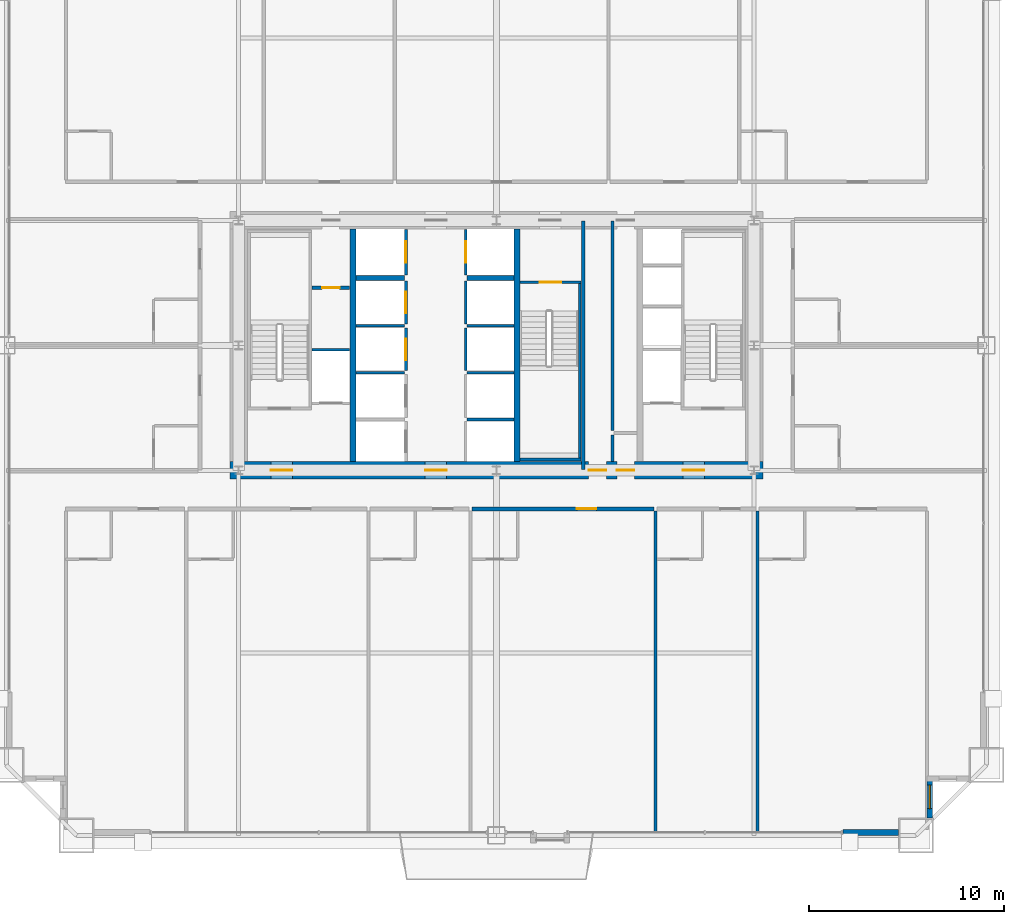
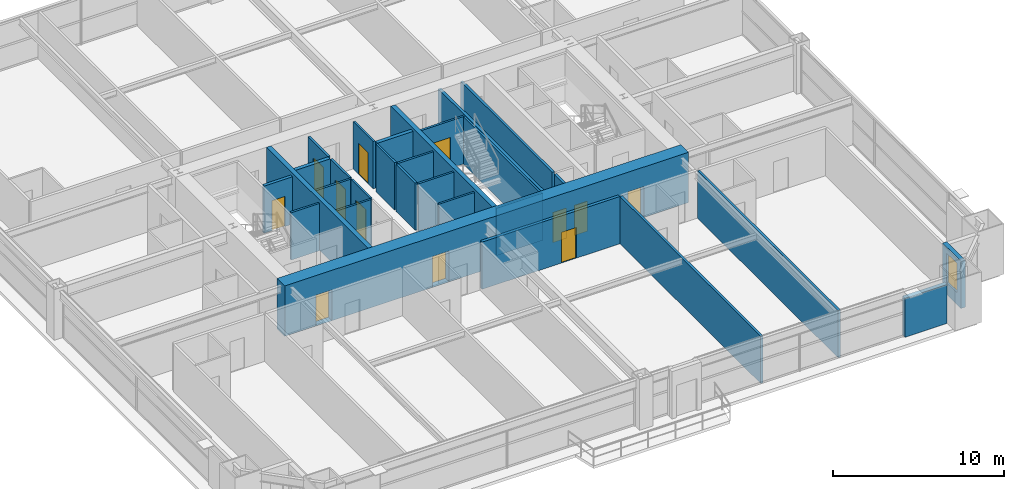
# One storey, part 40 of 43: 29 walls, 12 doors, 1 window, 13 openings.
"""IFC4 building model written with IfcOpenShell, lengths in metres."""

from ifc_helpers import new_model, si_unit, direction, frame, frame_2d, origin, place, context, subcontext, project, spatial, rectangle, extrude, source, transform, mapped, material, layer, layer_set, type_object, element, fill, save


model = new_model("IFC4")

# Units and contexts
model_context = context("Model", 3, precision=1e-05, world=origin(), true_north=direction((0.0, 1.0)))
body_context = subcontext(model_context, "Body", "Model", "MODEL_VIEW")
ifc_project = project(units=[si_unit("LENGTHUNIT", "METRE"), si_unit("AREAUNIT", "SQUARE_METRE"), si_unit("VOLUMEUNIT", "CUBIC_METRE"), si_unit("PLANEANGLEUNIT", "RADIAN"), si_unit("MASSUNIT", "GRAM", prefix="KILO"), si_unit("THERMODYNAMICTEMPERATUREUNIT", "KELVIN"), si_unit("POWERUNIT", "WATT")], contexts=[model_context])

# Site, building, storey
site_placement = place(None, origin())
site = spatial("IfcSite", under=ifc_project, at=site_placement, CompositionType="ELEMENT")
building_placement = place(site_placement, origin())
building = spatial("IfcBuilding", under=site, at=building_placement, Name="Yuzanri Waterfront Tower", CompositionType="ELEMENT")
storey_placement = place(building_placement, frame((0.0, 0.0, 64.0)))
storey = spatial("IfcBuildingStorey", under=building, at=storey_placement, Name="L16", CompositionType="ELEMENT", Elevation=64.0)

# Wall, opening, window
ifc_material_1 = material(Name="Honed Chongqing Dark Basalt Stone", Category="masonry")
ifc_layer_1 = layer(ifc_material_1, 0.300048828125)
ifc_layer_set_1 = layer_set([ifc_layer_1], Name="Honed Chongqing Dark Basalt Stone")
wall_type_1 = type_object("IfcWallType", Name="Bronze Rainscreen Insulated Spandrel Portal Wall 300", PredefinedType="SOLIDWALL", material=ifc_layer_set_1)
wall_1_placement = place(storey_placement, frame((59.199951171875, 1.60009765625, 0.0), z_axis=(0.0, 0.0, 1.0), x_axis=(0.0, 1.0, 0.0)))
wall_1 = element("IfcWall", 1, at=wall_1_placement, inside=storey, type_object=wall_type_1, Name="L16 Notched Corner Masonry Wall SE-Y", PredefinedType="SOLIDWALL", context=body_context, shape_type="SweptSolid", body=[
    extrude(rectangle(XDim=2.14990234375, YDim=0.300048828125, at=frame_2d((1.074951171875, 0.0))), origin(), (0.0, 0.0, 1.0), 3.3798828125),
])
opening_1_placement = place(wall_1_placement, frame((0.47509765625, 0.0, 0.85009765625)))
opening_1 = element("IfcOpeningElement", 2, at=opening_1_placement, cuts=wall_1, Name="Opening WN-02", PredefinedType="OPENING", context=body_context, shape_type="SweptSolid", body=[
    extrude(rectangle(XDim=1.199951171875, YDim=2.10009765625, at=frame_2d((0.60009765625, 1.050048828125))), frame((0.0, 0.1650390625, 0.0), z_axis=(0.0, -1.0, 0.0), x_axis=(1.0, 0.0, 0.0)), (0.0, 0.0, 1.0), 0.329833984375),
])
ifc_material_2 = material(Name="Double-Silver Low-E Insulated Glass", Category="glass")
window_type = type_object("IfcWindowType", Name="Anodized Bronze Notched Corner Deep-Set Slot Window 1200x2100", PartitioningType="SINGLE_PANEL", PredefinedType="WINDOW", material=ifc_material_2)
shared_shape_1 = source(origin(), body_context, "Body", "SweptSolid", [
    extrude(rectangle(XDim=1.199951171875, YDim=2.10009765625, at=frame_2d((0.60009765625, 1.050048828125))), frame((0.0, 0.030029296875, 0.0), z_axis=(0.0, -1.0, 0.0), x_axis=(1.0, 0.0, 0.0)), (0.0, 0.0, 1.0), 0.06005859375),
])
window_placement = place(opening_1_placement, origin())
window = element("IfcWindow", 3, at=window_placement, inside=storey, type_object=window_type, Name="L16 Notched Corner Window SE-Y", OverallHeight=2.10009765625, OverallWidth=1.199951171875, PartitioningType="SINGLE_PANEL", PredefinedType="WINDOW", context=body_context, shape_type="MappedRepresentation", body=[
    mapped(shared_shape_1, transform((0.0, 0.0, 0.0), scale=1.0)),
])
fill(opening_1, window)

# Wall, openings, doors
ifc_material_3 = material(Name="Concrete C60", Category="concrete")
ifc_layer_2 = layer(ifc_material_3, 0.89990234375)
ifc_layer_set_2 = layer_set([ifc_layer_2], Name="Concrete C60")
wall_type_2 = type_object("IfcWallType", Name="Concrete C60 Lower Zone Core Shear Wall 900", PredefinedType="SHEAR", material=ifc_layer_set_2)
wall_2_placement = place(storey_placement, frame((23.35009765625, 19.39990234375, 0.0), z_axis=(0.0, 0.0, 1.0), x_axis=(1.0, 0.0, 0.0)))
wall_2 = element("IfcWall", 4, at=wall_2_placement, inside=storey, type_object=wall_type_2, Name="L16 Core South Shear Wall", PredefinedType="SHEAR", context=body_context, shape_type="SweptSolid", body=[
    extrude(rectangle(XDim=27.2998046875, YDim=0.89990234375, at=frame_2d((13.64990234375, 0.0))), origin(), (0.0, 0.0, 1.0), 3.60009765625),
])
opening_2_placement = place(wall_2_placement, frame((2.10009765625, 0.0, 0.0)))
opening_2 = element("IfcOpeningElement", 5, at=opening_2_placement, cuts=wall_2, Name="Opening FD-1100", PredefinedType="OPENING", context=body_context, shape_type="SweptSolid", body=[
    extrude(rectangle(XDim=1.10009765625, YDim=2.199951171875, at=frame_2d((0.550048828125, 1.10009765625))), frame((0.0, 0.46484375, 0.0), z_axis=(0.0, -1.0, 0.0), x_axis=(1.0, 0.0, 0.0)), (0.0, 0.0, 1.0), 0.9296875),
])
opening_3_placement = place(wall_2_placement, frame((10.0, 0.0, 0.0)))
opening_3 = element("IfcOpeningElement", 6, at=opening_3_placement, cuts=wall_2, Name="Opening FD-1100", PredefinedType="OPENING", context=body_context, shape_type="SweptSolid", body=[
    extrude(rectangle(XDim=1.10009765625, YDim=2.199951171875, at=frame_2d((0.550048828125, 1.10009765625))), frame((0.0, 0.46484375, 0.0), z_axis=(0.0, -1.0, 0.0), x_axis=(1.0, 0.0, 0.0)), (0.0, 0.0, 1.0), 0.9296875),
])
opening_4_placement = place(wall_2_placement, frame((23.199951171875, 0.0, 0.0)))
opening_4 = element("IfcOpeningElement", 7, at=opening_4_placement, cuts=wall_2, Name="Opening FD-1100", PredefinedType="OPENING", context=body_context, shape_type="SweptSolid", body=[
    extrude(rectangle(XDim=1.10009765625, YDim=2.199951171875, at=frame_2d((0.550048828125, 1.10009765625))), frame((0.0, 0.46484375, 0.0), z_axis=(0.0, -1.0, 0.0), x_axis=(1.0, 0.0, 0.0)), (0.0, 0.0, 1.0), 0.9296875),
])
opening_5_placement = place(wall_2_placement, frame((19.820068359375, 0.0, 0.0)))
opening_5 = element("IfcOpeningElement", 8, at=opening_5_placement, cuts=wall_2, Name="Opening FD-0900", PredefinedType="OPENING", context=body_context, shape_type="SweptSolid", body=[
    extrude(rectangle(XDim=0.89990234375, YDim=2.14990234375, at=frame_2d((0.449951171875, 1.074951171875))), frame((0.0, 0.46484375, 0.0), z_axis=(0.0, -1.0, 0.0), x_axis=(1.0, 0.0, 0.0)), (0.0, 0.0, 1.0), 0.9296875),
])
opening_6_placement = place(wall_2_placement, frame((18.3798828125, 0.0, 0.0)))
opening_6 = element("IfcOpeningElement", 9, at=opening_6_placement, cuts=wall_2, Name="Opening FD-0900", PredefinedType="OPENING", context=body_context, shape_type="SweptSolid", body=[
    extrude(rectangle(XDim=0.89990234375, YDim=2.14990234375, at=frame_2d((0.449951171875, 1.074951171875))), frame((0.0, 0.46484375, 0.0), z_axis=(0.0, -1.0, 0.0), x_axis=(1.0, 0.0, 0.0)), (0.0, 0.0, 1.0), 0.9296875),
])
ifc_material_4 = material(Name="Painted Galvanized Fire Steel", Category="steel")
door_type_1 = type_object("IfcDoorType", Name="Smoke-Proof Stair and Lobby Fire Door 1100x2200", OperationType="NOTDEFINED", PredefinedType="DOOR", material=ifc_material_4)
shared_shape_2 = source(origin(), body_context, "Body", "SweptSolid", [
    extrude(rectangle(XDim=1.10009765625, YDim=2.199951171875, at=frame_2d((0.550048828125, 1.10009765625))), frame((0.0, 0.02490234375, 0.0), z_axis=(0.0, -1.0, 0.0), x_axis=(1.0, 0.0, 0.0)), (0.0, 0.0, 1.0), 0.050048828125),
])
door_1_placement = place(opening_2_placement, origin())
door_1 = element("IfcDoor", 10, at=door_1_placement, inside=storey, type_object=door_type_1, Name="L16 West Firefighting Lobby Door", OperationType="SINGLE_SWING_LEFT", OverallHeight=2.199951171875, OverallWidth=1.10009765625, PredefinedType="DOOR", context=body_context, shape_type="MappedRepresentation", body=[
    mapped(shared_shape_2, transform((0.0, 0.0, 0.0), scale=1.0)),
])
fill(opening_2, door_1)
door_2_placement = place(opening_3_placement, origin())
door_2 = element("IfcDoor", 11, at=door_2_placement, inside=storey, type_object=door_type_1, Name="L16 Central Lift Lobby South Door", OperationType="SINGLE_SWING_RIGHT", OverallHeight=2.199951171875, OverallWidth=1.10009765625, PredefinedType="DOOR", context=body_context, shape_type="MappedRepresentation", body=[
    mapped(shared_shape_2, transform((0.0, 0.0, 0.0), scale=1.0)),
])
fill(opening_3, door_2)
door_3_placement = place(opening_4_placement, origin())
door_3 = element("IfcDoor", 12, at=door_3_placement, inside=storey, type_object=door_type_1, Name="L16 East Firefighting Lobby Door", OperationType="SINGLE_SWING_LEFT", OverallHeight=2.199951171875, OverallWidth=1.10009765625, PredefinedType="DOOR", context=body_context, shape_type="MappedRepresentation", body=[
    mapped(shared_shape_2, transform((0.0, 0.0, 0.0), scale=1.0)),
])
fill(opening_4, door_3)
ifc_material_5 = material(Name="Painted Galvanized Fire Steel", Category="steel")
door_type_2 = type_object("IfcDoorType", Name="Riser and Service Room Fire Door 900x2150", OperationType="NOTDEFINED", PredefinedType="DOOR", material=ifc_material_5)
shared_shape_3 = source(origin(), body_context, "Body", "SweptSolid", [
    extrude(rectangle(XDim=0.89990234375, YDim=2.14990234375, at=frame_2d((0.449951171875, 1.074951171875))), frame((0.0, 0.02490234375, 0.0), z_axis=(0.0, -1.0, 0.0), x_axis=(1.0, 0.0, 0.0)), (0.0, 0.0, 1.0), 0.050048828125),
])
door_4_placement = place(opening_5_placement, origin())
door_4 = element("IfcDoor", 13, at=door_4_placement, inside=storey, type_object=door_type_2, Name="L16 East Wet Riser Door", OperationType="SINGLE_SWING_RIGHT", OverallHeight=2.14990234375, OverallWidth=0.89990234375, PredefinedType="DOOR", context=body_context, shape_type="MappedRepresentation", body=[
    mapped(shared_shape_3, transform((0.0, 0.0, 0.0), scale=1.0)),
])
fill(opening_5, door_4)
door_5_placement = place(opening_6_placement, origin())
door_5 = element("IfcDoor", 14, at=door_5_placement, inside=storey, type_object=door_type_2, Name="L16 Housekeeping Room", OperationType="SINGLE_SWING_LEFT", OverallHeight=2.14990234375, OverallWidth=0.89990234375, PredefinedType="DOOR", context=body_context, shape_type="MappedRepresentation", body=[
    mapped(shared_shape_3, transform((0.0, 0.0, 0.0), scale=1.0)),
])
fill(opening_6, door_5)

# Wall, opening, door
ifc_material_6 = material(Name="Concrete C40", Category="concrete")
ifc_layer_3 = layer(ifc_material_6, 0.139892578125)
ifc_layer_set_3 = layer_set([ifc_layer_3], Name="Concrete C40")
wall_type_3 = type_object("IfcWallType", Name="Core Stair Liner and Hoistway Shaft Wall 140", PredefinedType="SOLIDWALL", material=ifc_layer_set_3)
wall_3_placement = place(storey_placement, frame((32.3701171875, 24.5, 0.0), z_axis=(0.0, 0.0, 1.0), x_axis=(0.0, 1.0, 0.0)))
wall_3 = element("IfcWall", 15, at=wall_3_placement, inside=storey, type_object=wall_type_3, Name="L16 Lift PL-03 Front Shaft Wall", PredefinedType="SOLIDWALL", context=body_context, shape_type="SweptSolid", body=[
    extrude(rectangle(XDim=2.199951171875, YDim=0.139892578125, at=frame_2d((1.10009765625, 0.0))), origin(), (0.0, 0.0, 1.0), 3.3798828125),
])
opening_7_placement = place(wall_3_placement, frame((0.550048828125, 0.0, 0.0)))
opening_7 = element("IfcOpeningElement", 16, at=opening_7_placement, cuts=wall_3, Name="Opening LD-PL-03", PredefinedType="OPENING", context=body_context, shape_type="SweptSolid", body=[
    extrude(rectangle(XDim=1.10009765625, YDim=2.199951171875, at=frame_2d((0.550048828125, 1.10009765625))), frame((0.0, 0.0849609375, 0.0), z_axis=(0.0, -1.0, 0.0), x_axis=(1.0, 0.0, 0.0)), (0.0, 0.0, 1.0), 0.169677734375),
])
ifc_material_7 = material(Name="Brushed Bronze and Stainless Steel Cab", Category="steel")
door_type_3 = type_object("IfcDoorType", Name="Center-Parting Bronze Lift Landing Sliding Door 1100x2200", OperationType="NOTDEFINED", PredefinedType="DOOR", material=ifc_material_7)
shared_shape_4 = source(origin(), body_context, "Body", "SweptSolid", [
    extrude(rectangle(XDim=1.10009765625, YDim=2.199951171875, at=frame_2d((0.550048828125, 1.10009765625))), frame((0.0, 0.02490234375, 0.0), z_axis=(0.0, -1.0, 0.0), x_axis=(1.0, 0.0, 0.0)), (0.0, 0.0, 1.0), 0.050048828125),
])
door_6_placement = place(opening_7_placement, origin())
door_6 = element("IfcDoor", 17, at=door_6_placement, inside=storey, type_object=door_type_3, Name="L16 PL-03 Lift Landing Sliding Door", OperationType="SLIDING_TO_LEFT", OverallHeight=2.199951171875, OverallWidth=1.10009765625, PredefinedType="DOOR", context=body_context, shape_type="MappedRepresentation", body=[
    mapped(shared_shape_4, transform((0.0, 0.0, 0.0), scale=1.0)),
])
fill(opening_7, door_6)

wall_4_placement = place(storey_placement, frame((32.3701171875, 26.89990234375, 0.0), z_axis=(0.0, 0.0, 1.0), x_axis=(0.0, 1.0, 0.0)))
wall_4 = element("IfcWall", 18, at=wall_4_placement, inside=storey, type_object=wall_type_3, Name="L16 Lift PL-04 Front Shaft Wall", PredefinedType="SOLIDWALL", context=body_context, shape_type="SweptSolid", body=[
    extrude(rectangle(XDim=2.2001953125, YDim=0.139892578125, at=frame_2d((1.10009765625, 0.0))), origin(), (0.0, 0.0, 1.0), 3.3798828125),
])
opening_8_placement = place(wall_4_placement, frame((0.550048828125, 0.0, 0.0)))
opening_8 = element("IfcOpeningElement", 19, at=opening_8_placement, cuts=wall_4, Name="Opening LD-PL-04", PredefinedType="OPENING", context=body_context, shape_type="SweptSolid", body=[
    extrude(rectangle(XDim=1.10009765625, YDim=2.199951171875, at=frame_2d((0.550048828125, 1.10009765625))), frame((0.0, 0.0849609375, 0.0), z_axis=(0.0, -1.0, 0.0), x_axis=(1.0, 0.0, 0.0)), (0.0, 0.0, 1.0), 0.169677734375),
])
door_7_placement = place(opening_8_placement, origin())
door_7 = element("IfcDoor", 20, at=door_7_placement, inside=storey, type_object=door_type_3, Name="L16 PL-04 Lift Landing Sliding Door", OperationType="SLIDING_TO_RIGHT", OverallHeight=2.199951171875, OverallWidth=1.10009765625, PredefinedType="DOOR", context=body_context, shape_type="MappedRepresentation", body=[
    mapped(shared_shape_4, transform((0.0, 0.0, 0.0), scale=1.0)),
])
fill(opening_8, door_7)

wall_5_placement = place(storey_placement, frame((32.3701171875, 29.39990234375, 0.0), z_axis=(0.0, 0.0, 1.0), x_axis=(0.0, 1.0, 0.0)))
wall_5 = element("IfcWall", 21, at=wall_5_placement, inside=storey, type_object=wall_type_3, Name="L16 Lift SL-01 Front Shaft Wall", PredefinedType="SOLIDWALL", context=body_context, shape_type="SweptSolid", body=[
    extrude(rectangle(XDim=2.340087890625, YDim=0.139892578125, at=frame_2d((1.169921875, 0.0))), origin(), (0.0, 0.0, 1.0), 3.3798828125),
])
opening_9_placement = place(wall_5_placement, frame((0.6201171875, 0.0, 0.0)))
opening_9 = element("IfcOpeningElement", 22, at=opening_9_placement, cuts=wall_5, Name="Opening LD-SL-01", PredefinedType="OPENING", context=body_context, shape_type="SweptSolid", body=[
    extrude(rectangle(XDim=1.10009765625, YDim=2.199951171875, at=frame_2d((0.550048828125, 1.10009765625))), frame((0.0, 0.0849609375, 0.0), z_axis=(0.0, -1.0, 0.0), x_axis=(1.0, 0.0, 0.0)), (0.0, 0.0, 1.0), 0.169677734375),
])
door_8_placement = place(opening_9_placement, origin())
door_8 = element("IfcDoor", 23, at=door_8_placement, inside=storey, type_object=door_type_3, Name="L16 SL-01 Lift Landing Sliding Door", OperationType="SLIDING_TO_LEFT", OverallHeight=2.199951171875, OverallWidth=1.10009765625, PredefinedType="DOOR", context=body_context, shape_type="MappedRepresentation", body=[
    mapped(shared_shape_4, transform((0.0, 0.0, 0.0), scale=1.0)),
])
fill(opening_9, door_8)

wall_6_placement = place(storey_placement, frame((35.429931640625, 29.39990234375, 0.0), z_axis=(0.0, 0.0, 1.0), x_axis=(0.0, 1.0, 0.0)))
wall_6 = element("IfcWall", 24, at=wall_6_placement, inside=storey, type_object=wall_type_3, Name="L16 Lift SL-02 Front Shaft Wall", PredefinedType="SOLIDWALL", context=body_context, shape_type="SweptSolid", body=[
    extrude(rectangle(XDim=2.340087890625, YDim=0.139892578125, at=frame_2d((1.169921875, 0.0))), origin(), (0.0, 0.0, 1.0), 3.3798828125),
])
opening_10_placement = place(wall_6_placement, frame((0.6201171875, 0.0, 0.0)))
opening_10 = element("IfcOpeningElement", 25, at=opening_10_placement, cuts=wall_6, Name="Opening LD-SL-02", PredefinedType="OPENING", context=body_context, shape_type="SweptSolid", body=[
    extrude(rectangle(XDim=1.10009765625, YDim=2.199951171875, at=frame_2d((0.550048828125, 1.10009765625))), frame((0.0, 0.0849609375, 0.0), z_axis=(0.0, -1.0, 0.0), x_axis=(1.0, 0.0, 0.0)), (0.0, 0.0, 1.0), 0.169677734375),
])
door_9_placement = place(opening_10_placement, origin())
door_9 = element("IfcDoor", 26, at=door_9_placement, inside=storey, type_object=door_type_3, Name="L16 SL-02 Lift Landing Sliding Door", OperationType="SLIDING_TO_RIGHT", OverallHeight=2.199951171875, OverallWidth=1.10009765625, PredefinedType="DOOR", context=body_context, shape_type="MappedRepresentation", body=[
    mapped(shared_shape_4, transform((0.0, 0.0, 0.0), scale=1.0)),
])
fill(opening_10, door_9)

wall_7_placement = place(storey_placement, frame((38.199951171875, 29.030029296875, 0.0), z_axis=(0.0, 0.0, 1.0), x_axis=(1.0, 0.0, 0.0)))
wall_7 = element("IfcWall", 27, at=wall_7_placement, inside=storey, type_object=wall_type_3, Name="L16 Shaft Wall STW-L16-ST-03-N", PredefinedType="SOLIDWALL", context=body_context, shape_type="SweptSolid", body=[
    extrude(rectangle(XDim=3.14013671875, YDim=0.139892578125, at=frame_2d((1.570068359375, 0.0))), origin(), (0.0, 0.0, 1.0), 3.3798828125),
])
opening_11_placement = place(wall_7_placement, frame((1.02001953125, 0.0, 0.0)))
opening_11 = element("IfcOpeningElement", 28, at=opening_11_placement, cuts=wall_7, Name="Opening FD-1100", PredefinedType="OPENING", context=body_context, shape_type="SweptSolid", body=[
    extrude(rectangle(XDim=1.10009765625, YDim=2.199951171875, at=frame_2d((0.550048828125, 1.10009765625))), frame((0.0, 0.0849609375, 0.0), z_axis=(0.0, -1.0, 0.0), x_axis=(1.0, 0.0, 0.0)), (0.0, 0.0, 1.0), 0.169677734375),
])
door_10_placement = place(opening_11_placement, origin())
door_10 = element("IfcDoor", 29, at=door_10_placement, inside=storey, type_object=door_type_1, Name="L16 Stair ST-03 Fire Door", OperationType="SINGLE_SWING_RIGHT", OverallHeight=2.199951171875, OverallWidth=1.10009765625, PredefinedType="DOOR", context=body_context, shape_type="MappedRepresentation", body=[
    mapped(shared_shape_2, transform((0.0, 0.0, 0.0), scale=1.0)),
])
fill(opening_11, door_10)

ifc_material_8 = material(Name="Autoclaved Aerated Concrete Blockwork", Category="masonry")
ifc_layer_4 = layer(ifc_material_8, 0.199951171875)
ifc_layer_set_4 = layer_set([ifc_layer_4], Name="Autoclaved Aerated Concrete Blockwork")
wall_type_4 = type_object("IfcWallType", Name="Corridor and Unit Party Fire Wall 200", PredefinedType="PARTITIONING", material=ifc_layer_set_4)
wall_8_placement = place(storey_placement, frame((27.56005859375, 28.75, 0.0), z_axis=(0.0, 0.0, 1.0), x_axis=(1.0, 0.0, 0.0)))
wall_8 = element("IfcWall", 30, at=wall_8_placement, inside=storey, type_object=wall_type_4, Name="L16 Partition CRW-L16-ERTR", PredefinedType="PARTITIONING", context=body_context, shape_type="SweptSolid", body=[
    extrude(rectangle(XDim=1.919921875, YDim=0.199951171875, at=frame_2d((0.9599609375, 0.0))), origin(), (0.0, 0.0, 1.0), 3.3798828125),
])
opening_12_placement = place(wall_8_placement, frame((0.510009765625, 0.0, 0.0)))
opening_12 = element("IfcOpeningElement", 31, at=opening_12_placement, cuts=wall_8, Name="Opening FD-0900", PredefinedType="OPENING", context=body_context, shape_type="SweptSolid", body=[
    extrude(rectangle(XDim=0.89990234375, YDim=2.14990234375, at=frame_2d((0.449951171875, 1.074951171875))), frame((0.0, 0.11474609375, 0.0), z_axis=(0.0, -1.0, 0.0), x_axis=(1.0, 0.0, 0.0)), (0.0, 0.0, 1.0), 0.229736328125),
])
door_11_placement = place(opening_12_placement, origin())
door_11 = element("IfcDoor", 32, at=door_11_placement, inside=storey, type_object=door_type_2, Name="L16 Electrical Riser Door", OperationType="SINGLE_SWING_LEFT", OverallHeight=2.14990234375, OverallWidth=0.89990234375, PredefinedType="DOOR", context=body_context, shape_type="MappedRepresentation", body=[
    mapped(shared_shape_3, transform((0.0, 0.0, 0.0), scale=1.0)),
])
fill(opening_12, door_11)

wall_9_placement = place(storey_placement, frame((35.756103515625, 17.419921875, 0.0), z_axis=(0.0, 0.0, 1.0), x_axis=(1.0, 0.0, 0.0)))
wall_9 = element("IfcWall", 33, at=wall_9_placement, inside=storey, type_object=wall_type_4, Name="L16 Partition UW-L16-S4-CN", PredefinedType="PARTITIONING", context=body_context, shape_type="SweptSolid", body=[
    extrude(rectangle(XDim=9.310791015625, YDim=0.199951171875, at=frame_2d((4.6552734375, 0.0))), origin(), (0.0, 0.0, 1.0), 3.3798828125),
])
opening_13_placement = place(wall_9_placement, frame((5.361083984375, 0.0, 0.0)))
opening_13 = element("IfcOpeningElement", 34, at=opening_13_placement, cuts=wall_9, Name="Opening FD-1000", PredefinedType="OPENING", context=body_context, shape_type="SweptSolid", body=[
    extrude(rectangle(XDim=1.0, YDim=2.199951171875, at=frame_2d((0.5, 1.10009765625))), frame((0.0, 0.11474609375, 0.0), z_axis=(0.0, -1.0, 0.0), x_axis=(1.0, 0.0, 0.0)), (0.0, 0.0, 1.0), 0.229736328125),
])
ifc_material_9 = material(Name="Engineered Oak Fire-Rated Timber", Category="wood")
door_type_4 = type_object("IfcDoorType", Name="Guestroom and Apartment Entrance Fire Door 1000x2200", OperationType="NOTDEFINED", PredefinedType="DOOR", material=ifc_material_9)
shared_shape_5 = source(origin(), body_context, "Body", "SweptSolid", [
    extrude(rectangle(XDim=1.0, YDim=2.199951171875, at=frame_2d((0.5, 1.10009765625))), frame((0.0, 0.02490234375, 0.0), z_axis=(0.0, -1.0, 0.0), x_axis=(1.0, 0.0, 0.0)), (0.0, 0.0, 1.0), 0.050048828125),
])
door_12_placement = place(opening_13_placement, origin())
door_12 = element("IfcDoor", 35, at=door_12_placement, inside=storey, type_object=door_type_4, Name="L16 Deluxe Riverfront Junior Suite Entrance Door", OperationType="SINGLE_SWING_LEFT", OverallHeight=2.199951171875, OverallWidth=1.0, PredefinedType="DOOR", context=body_context, shape_type="MappedRepresentation", body=[
    mapped(shared_shape_5, transform((0.0, 0.0, 0.0), scale=1.0)),
])
fill(opening_13, door_12)

# Walls
ifc_material_10 = material(Name="Concrete C50", Category="concrete")
ifc_layer_5 = layer(ifc_material_10, 0.300048828125)
ifc_layer_set_5 = layer_set([ifc_layer_5], Name="Concrete C50")
wall_type_5 = type_object("IfcWallType", Name="Concrete C50 Internal Core Shaft Structural Wall 300", PredefinedType="SOLIDWALL", material=ifc_layer_set_5)
shared_shape_6 = source(origin(), body_context, "Body", "SweptSolid", [
    extrude(rectangle(XDim=11.89990234375, YDim=0.300048828125, at=frame_2d((5.949951171875, 0.0))), origin(), (0.0, 0.0, 1.0), 3.60009765625),
])
for number, where, z_axis, x_axis, name in (
    (36, (29.64990234375, 19.85009765625, 0.0), (0.0, 0.0, 1.0), (0.0, 1.0, 0.0), "L16 Core Internal Structural Web Wall 1"),
    (37, (38.050048828125, 19.85009765625, 0.0), (0.0, 0.0, 1.0), (0.0, 1.0, 0.0), "L16 Core Internal Structural Web Wall 2"),
):
    element("IfcWall", number, at=place(storey_placement, frame(where, z_axis=z_axis, x_axis=x_axis)), inside=storey, type_object=wall_type_5, Name=name, PredefinedType="SOLIDWALL", context=body_context, shape_type="MappedRepresentation", body=[
        mapped(shared_shape_6, transform((0.0, 0.0, 0.0), scale=1.0)),
    ])
shared_shape_7 = source(origin(), body_context, "Body", "SweptSolid", [
    extrude(rectangle(XDim=2.85009765625, YDim=0.300048828125, at=frame_2d((1.425048828125, 0.0))), origin(), (0.0, 0.0, 1.0), 2.77490234375),
])
wall_10_placement = place(storey_placement, frame((54.75, 0.85009765625, 0.0), z_axis=(0.0, 0.0, 1.0), x_axis=(1.0, 0.0, 0.0)))
element("IfcWall", 38, at=wall_10_placement, inside=storey, type_object=wall_type_1, Name="L16 S Right Braced Masonry Shoulder", PredefinedType="SOLIDWALL", context=body_context, shape_type="MappedRepresentation", body=[
    mapped(shared_shape_7, transform((0.0, 0.0, 0.0), scale=1.0)),
])
shared_shape_8 = source(origin(), body_context, "Body", "SweptSolid", [
    extrude(rectangle(XDim=1.919921875, YDim=0.139892578125, at=frame_2d((0.9599609375, 0.0))), origin(), (0.0, 0.0, 1.0), 3.3798828125),
])
wall_11_placement = place(storey_placement, frame((27.56005859375, 25.570068359375, 0.0), z_axis=(0.0, 0.0, 1.0), x_axis=(1.0, 0.0, 0.0)))
element("IfcWall", 39, at=wall_11_placement, inside=storey, type_object=wall_type_3, Name="L16 Lift FL-01 Back Shaft Wall", PredefinedType="SOLIDWALL", context=body_context, shape_type="MappedRepresentation", body=[
    mapped(shared_shape_8, transform((0.0, 0.0, 0.0), scale=1.0)),
])
shared_shape_9 = source(origin(), body_context, "Body", "SweptSolid", [
    extrude(rectangle(XDim=2.5, YDim=0.139892578125, at=frame_2d((1.25, 0.0))), origin(), (0.0, 0.0, 1.0), 3.3798828125),
])
for number, where, z_axis, x_axis, name in (
    (40, (29.800048828125, 24.39990234375, 0.0), (0.0, 0.0, 1.0), (1.0, 0.0, 0.0), "L16 Lift PL-02 Divider Wall"),
    (41, (29.800048828125, 26.800048828125, 0.0), (0.0, 0.0, 1.0), (1.0, 0.0, 0.0), "L16 Lift PL-03 Divider Wall"),
):
    element("IfcWall", number, at=place(storey_placement, frame(where, z_axis=z_axis, x_axis=x_axis)), inside=storey, type_object=wall_type_3, Name=name, PredefinedType="SOLIDWALL", context=body_context, shape_type="MappedRepresentation", body=[
        mapped(shared_shape_9, transform((0.0, 0.0, 0.0), scale=1.0)),
    ])
ifc_material_11 = material(Name="Concrete C40", Category="concrete")
ifc_layer_6 = layer(ifc_material_11, 0.25)
ifc_layer_set_6 = layer_set([ifc_layer_6], Name="Concrete C40")
wall_type_6 = type_object("IfcWallType", Name="Smoke-Proof Stair and Lift Shaft Wall 250", PredefinedType="SOLIDWALL", material=ifc_layer_set_6)
shared_shape_10 = source(origin(), body_context, "Body", "SweptSolid", [
    extrude(rectangle(XDim=2.5, YDim=0.25, at=frame_2d((1.25, 0.0))), origin(), (0.0, 0.0, 1.0), 3.3798828125),
])
wall_12_placement = place(storey_placement, frame((29.800048828125, 29.25, 0.0), z_axis=(0.0, 0.0, 1.0), x_axis=(1.0, 0.0, 0.0)))
element("IfcWall", 42, at=wall_12_placement, inside=storey, type_object=wall_type_6, Name="L16 Lift SL-01 South Shaft Wall", PredefinedType="SOLIDWALL", context=body_context, shape_type="MappedRepresentation", body=[
    mapped(shared_shape_10, transform((0.0, 0.0, 0.0), scale=1.0)),
])
shared_shape_11 = source(origin(), body_context, "Body", "SweptSolid", [
    extrude(rectangle(XDim=2.39990234375, YDim=0.139892578125, at=frame_2d((1.199951171875, 0.0))), origin(), (0.0, 0.0, 1.0), 3.3798828125),
])
for number, where, z_axis, x_axis, name in (
    (43, (35.5, 22.0, 0.0), (0.0, 0.0, 1.0), (1.0, 0.0, 0.0), "L16 Lift PL-05 Divider Wall"),
    (44, (35.5, 24.39990234375, 0.0), (0.0, 0.0, 1.0), (1.0, 0.0, 0.0), "L16 Lift PL-06 Divider Wall"),
    (45, (35.5, 26.800048828125, 0.0), (0.0, 0.0, 1.0), (1.0, 0.0, 0.0), "L16 Lift PL-07 Divider Wall"),
):
    element("IfcWall", number, at=place(storey_placement, frame(where, z_axis=z_axis, x_axis=x_axis)), inside=storey, type_object=wall_type_3, Name=name, PredefinedType="SOLIDWALL", context=body_context, shape_type="MappedRepresentation", body=[
        mapped(shared_shape_11, transform((0.0, 0.0, 0.0), scale=1.0)),
    ])
shared_shape_12 = source(origin(), body_context, "Body", "SweptSolid", [
    extrude(rectangle(XDim=2.199951171875, YDim=0.139892578125, at=frame_2d((1.10009765625, 0.0))), origin(), (0.0, 0.0, 1.0), 3.3798828125),
])
wall_13_placement = place(storey_placement, frame((35.429931640625, 24.5, 0.0), z_axis=(0.0, 0.0, 1.0), x_axis=(0.0, 1.0, 0.0)))
element("IfcWall", 46, at=wall_13_placement, inside=storey, type_object=wall_type_3, Name="L16 Lift PL-07 Front Shaft Wall", PredefinedType="SOLIDWALL", context=body_context, shape_type="MappedRepresentation", body=[
    mapped(shared_shape_12, transform((0.0, 0.0, 0.0), scale=1.0)),
])
shared_shape_13 = source(origin(), body_context, "Body", "SweptSolid", [
    extrude(rectangle(XDim=2.2001953125, YDim=0.139892578125, at=frame_2d((1.10009765625, 0.0))), origin(), (0.0, 0.0, 1.0), 3.3798828125),
])
wall_14_placement = place(storey_placement, frame((35.429931640625, 26.89990234375, 0.0), z_axis=(0.0, 0.0, 1.0), x_axis=(0.0, 1.0, 0.0)))
element("IfcWall", 47, at=wall_14_placement, inside=storey, type_object=wall_type_3, Name="L16 Lift PL-08 Front Shaft Wall", PredefinedType="SOLIDWALL", context=body_context, shape_type="MappedRepresentation", body=[
    mapped(shared_shape_13, transform((0.0, 0.0, 0.0), scale=1.0)),
])
shared_shape_14 = source(origin(), body_context, "Body", "SweptSolid", [
    extrude(rectangle(XDim=2.39990234375, YDim=0.25, at=frame_2d((1.199951171875, 0.0))), origin(), (0.0, 0.0, 1.0), 3.3798828125),
])
wall_15_placement = place(storey_placement, frame((35.5, 29.25, 0.0), z_axis=(0.0, 0.0, 1.0), x_axis=(1.0, 0.0, 0.0)))
element("IfcWall", 48, at=wall_15_placement, inside=storey, type_object=wall_type_6, Name="L16 Lift SL-02 South Shaft Wall", PredefinedType="SOLIDWALL", context=body_context, shape_type="MappedRepresentation", body=[
    mapped(shared_shape_14, transform((0.0, 0.0, 0.0), scale=1.0)),
])
shared_shape_15 = source(origin(), body_context, "Body", "SweptSolid", [
    extrude(rectangle(XDim=3.14013671875, YDim=0.139892578125, at=frame_2d((1.570068359375, 0.0))), origin(), (0.0, 0.0, 1.0), 3.3798828125),
])
wall_16_placement = place(storey_placement, frame((38.199951171875, 19.949951171875, 0.0), z_axis=(0.0, 0.0, 1.0), x_axis=(1.0, 0.0, 0.0)))
element("IfcWall", 49, at=wall_16_placement, inside=storey, type_object=wall_type_3, Name="L16 Stair ST-03 South Shaft Wall", PredefinedType="SOLIDWALL", context=body_context, shape_type="MappedRepresentation", body=[
    mapped(shared_shape_15, transform((0.0, 0.0, 0.0), scale=1.0)),
])
shared_shape_16 = source(origin(), body_context, "Body", "SweptSolid", [
    extrude(rectangle(XDim=8.93994140625, YDim=0.139892578125, at=frame_2d((4.469970703125, 0.0))), origin(), (0.0, 0.0, 1.0), 3.3798828125),
])
wall_17_placement = place(storey_placement, frame((41.27001953125, 20.02001953125, 0.0), z_axis=(0.0, 0.0, 1.0), x_axis=(0.0, 1.0, 0.0)))
element("IfcWall", 50, at=wall_17_placement, inside=storey, type_object=wall_type_3, Name="L16 Stair ST-03 East Shaft Wall", PredefinedType="SOLIDWALL", context=body_context, shape_type="MappedRepresentation", body=[
    mapped(shared_shape_16, transform((0.0, 0.0, 0.0), scale=1.0)),
])
ifc_material_12 = material(Name="Gypsum Fireboard Acoustic Stud Wall", Category="gypsum")
ifc_layer_7 = layer(ifc_material_12, 0.159912109375)
ifc_layer_set_7 = layer_set([ifc_layer_7], Name="Gypsum Fireboard Acoustic Stud Wall")
wall_type_7 = type_object("IfcWallType", Name="Acoustic Suite Demising Partition 160", PredefinedType="PARTITIONING", material=ifc_layer_set_7)
shared_shape_17 = source(origin(), body_context, "Body", "SweptSolid", [
    extrude(rectangle(XDim=1.33984375, YDim=0.159912109375, at=frame_2d((0.669921875, 0.0))), origin(), (0.0, 0.0, 1.0), 3.3798828125),
])
wall_18_placement = place(storey_placement, frame((42.949951171875, 19.860107421875, 0.0), z_axis=(0.0, 0.0, 1.0), x_axis=(0.0, 1.0, 0.0)))
element("IfcWall", 51, at=wall_18_placement, inside=storey, type_object=wall_type_7, Name="L16 East Wet Riser West Wall", PredefinedType="PARTITIONING", context=body_context, shape_type="MappedRepresentation", body=[
    mapped(shared_shape_17, transform((0.0, 0.0, 0.0), scale=1.0)),
])
shared_shape_18 = source(origin(), body_context, "Body", "SweptSolid", [
    extrude(rectangle(XDim=12.719970703125, YDim=0.199951171875, at=frame_2d((6.35986328125, 0.0))), origin(), (0.0, 0.0, 1.0), 3.3798828125),
])
wall_19_placement = place(storey_placement, frame((41.449951171875, 19.43994140625, 0.0), z_axis=(0.0, 0.0, 1.0), x_axis=(0.0, 1.0, 0.0)))
element("IfcWall", 52, at=wall_19_placement, inside=storey, type_object=wall_type_4, Name="L16 Core BOH West Wall 1", PredefinedType="PARTITIONING", context=body_context, shape_type="MappedRepresentation", body=[
    mapped(shared_shape_18, transform((0.0, 0.0, 0.0), scale=1.0)),
])
shared_shape_19 = source(origin(), body_context, "Body", "SweptSolid", [
    extrude(rectangle(XDim=16.469970703125, YDim=0.159912109375, at=frame_2d((8.23486328125, 0.0))), origin(), (0.0, 0.0, 1.0), 3.3798828125),
])
for number, where, z_axis, x_axis, name in (
    (53, (45.14697265625, 0.85009765625, 0.0), (0.0, 0.0, 1.0), (0.0, 1.0, 0.0), "L16-S4 Party Wall"),
    (54, (50.383056640625, 0.85009765625, 0.0), (0.0, 0.0, 1.0), (0.0, 1.0, 0.0), "L16-S5 Party Wall"),
):
    element("IfcWall", number, at=place(storey_placement, frame(where, z_axis=z_axis, x_axis=x_axis)), inside=storey, type_object=wall_type_7, Name=name, PredefinedType="PARTITIONING", context=body_context, shape_type="MappedRepresentation", body=[
        mapped(shared_shape_19, transform((0.0, 0.0, 0.0), scale=1.0)),
    ])
shared_shape_20 = source(origin(), body_context, "Body", "SweptSolid", [
    extrude(rectangle(XDim=10.719970703125, YDim=0.159912109375, at=frame_2d((5.35986328125, 0.0))), origin(), (0.0, 0.0, 1.0), 3.3798828125),
])
wall_20_placement = place(storey_placement, frame((42.949951171875, 21.43994140625, 0.0), z_axis=(0.0, 0.0, 1.0), x_axis=(0.0, 1.0, 0.0)))
element("IfcWall", 55, at=wall_20_placement, inside=storey, type_object=wall_type_7, Name="L16 Core BOH Mid Wall 2", PredefinedType="PARTITIONING", context=body_context, shape_type="MappedRepresentation", body=[
    mapped(shared_shape_20, transform((0.0, 0.0, 0.0), scale=1.0)),
])

save(model, "model.ifc")
